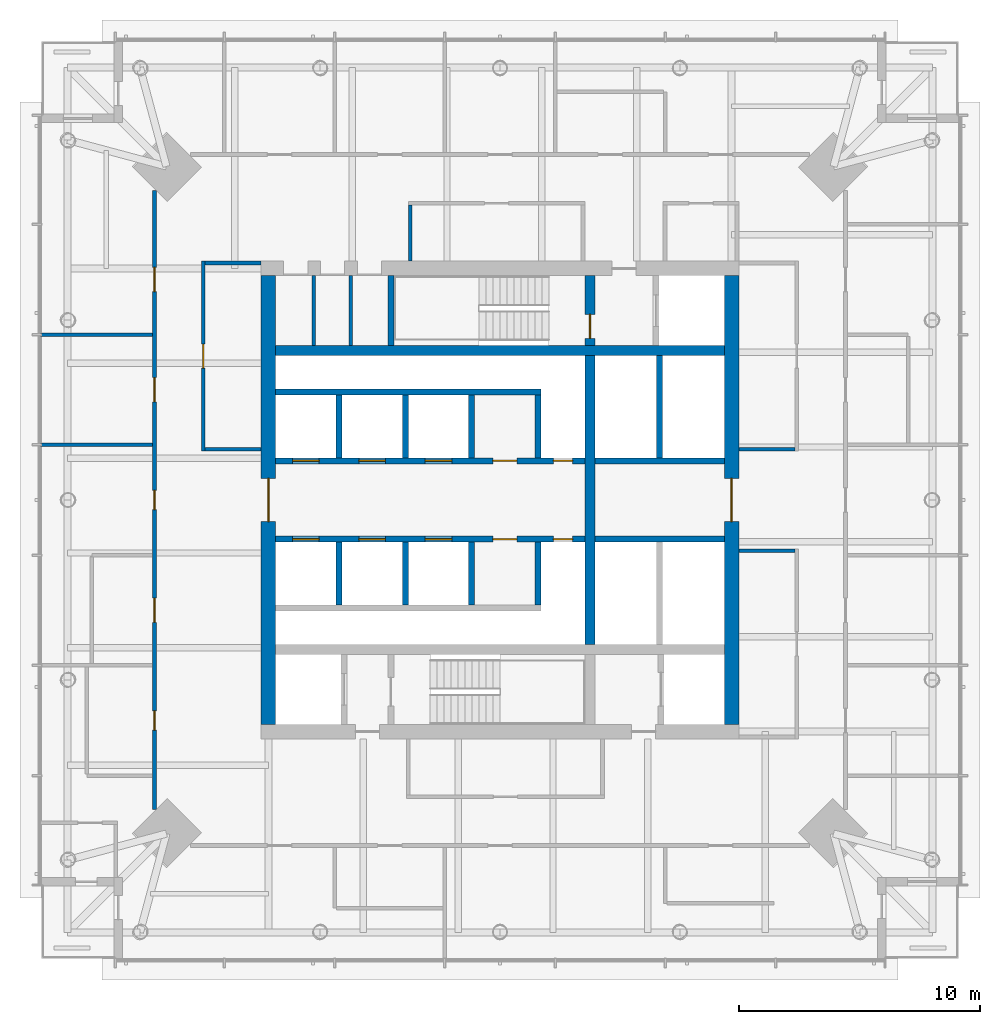
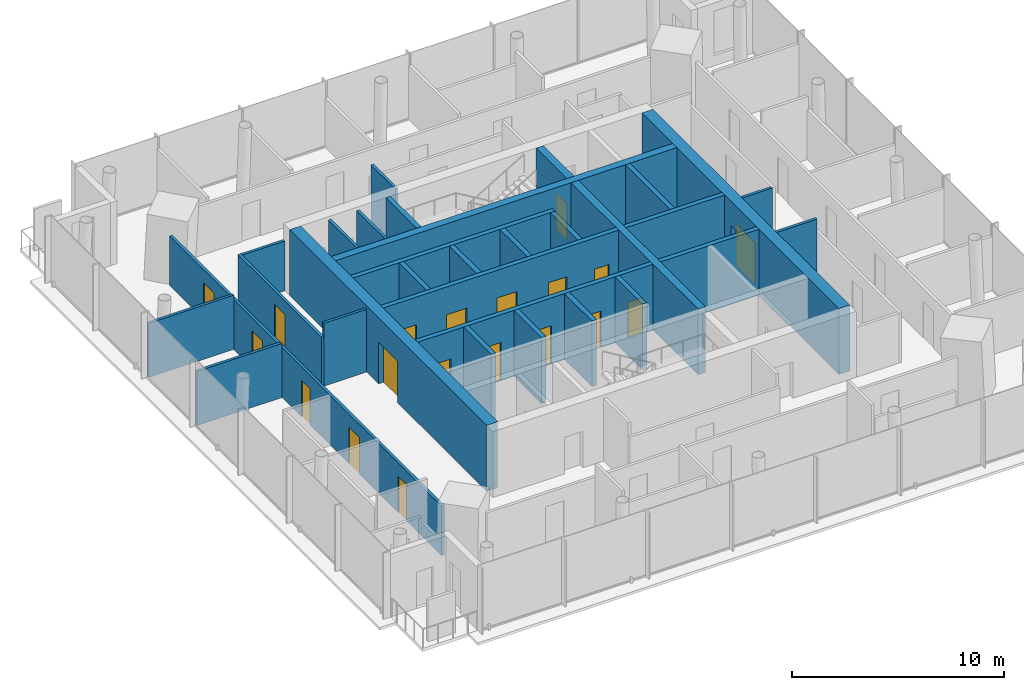
# One storey, part 5 of 11: 31 walls, 19 doors, 19 openings.
"""IFC4 building model written with IfcOpenShell, lengths in metres."""

from ifc_helpers import new_model, si_unit, direction, frame, frame_2d, origin, place, context, subcontext, project, spatial, rectangle, extrude, material, layer, layer_set, type_object, element, fill, save


model = new_model("IFC4")

# Units and contexts
model_context = context("Model", 3, precision=1e-05, world=origin(), true_north=direction((0.0, 1.0)))
body_context = subcontext(model_context, "Body", "Model", "MODEL_VIEW")
ifc_project = project(units=[si_unit("LENGTHUNIT", "METRE"), si_unit("AREAUNIT", "SQUARE_METRE"), si_unit("VOLUMEUNIT", "CUBIC_METRE"), si_unit("PLANEANGLEUNIT", "RADIAN"), si_unit("MASSUNIT", "GRAM", prefix="KILO")], contexts=[model_context])

# Site, building, storey
site_placement = place(None, origin())
site = spatial("IfcSite", under=ifc_project, at=site_placement, CompositionType="ELEMENT")
building_placement = place(site_placement, origin())
building = spatial("IfcBuilding", under=site, at=building_placement, Name="Ostroluk Exchange", CompositionType="ELEMENT")
storey_placement = place(building_placement, frame((0.0, 0.0, 211.0)))
storey = spatial("IfcBuildingStorey", under=building, at=storey_placement, Name="L54", CompositionType="ELEMENT", Elevation=211.0)

# Walls
ifc_material_1 = material(Name="Concrete blockwork", Category="masonry")
ifc_layer_1 = layer(ifc_material_1, 0.14990234375)
ifc_layer_set_1 = layer_set([ifc_layer_1], Name="Blockwork plant room wall 150")
wall_type_1 = type_object("IfcWallType", Name="Blockwork plant room wall 150", PredefinedType="SOLIDWALL", material=ifc_layer_set_1)
for number, where, z_axis, x_axis, name in (
    (1, (37.281005859375, 52.39990234375, 0.0), (0.0, 0.0, 1.0), (0.0, 1.0, 0.0), "Core room wall"),
    (2, (38.8154296875, 52.39990234375, 0.0), (0.0, 0.0, 1.0), (0.0, 1.0, 0.0), "Core room wall"),
):
    element("IfcWall", number, at=place(storey_placement, frame(where, z_axis=z_axis, x_axis=x_axis)), inside=storey, type_object=wall_type_1, Name=name, PredefinedType="SOLIDWALL", context=body_context, shape_type="SweptSolid", body=[
        extrude(rectangle(XDim=2.900146484375, YDim=0.14990234375, at=frame_2d((1.4501953125, 0.0))), origin(), (0.0, 0.0, 1.0), 3.6201171875),
    ])
ifc_material_2 = material(Name="Concrete C50/60", Category="concrete")
ifc_layer_2 = layer(ifc_material_2, 0.39990234375)
ifc_layer_set_2 = layer_set([ifc_layer_2], Name="Core cross wall 400 C50/60")
wall_type_2 = type_object("IfcWallType", Name="Core cross wall 400 C50/60", PredefinedType="SHEAR", material=ifc_layer_set_2)
wall_1_placement = place(storey_placement, frame((35.699951171875, 52.199951171875, 0.0), z_axis=(0.0, 0.0, 1.0), x_axis=(1.0, 0.0, 0.0)))
element("IfcWall", 3, at=wall_1_placement, inside=storey, type_object=wall_type_2, Name="T1 core wall XN", PredefinedType="SHEAR", context=body_context, shape_type="SweptSolid", body=[
    extrude(rectangle(XDim=18.60009765625, YDim=0.39990234375, at=frame_2d((9.300048828125, 0.0))), origin(), (0.0, 0.0, 1.0), 3.800048828125),
])
wall_2_placement = place(storey_placement, frame((48.72998046875, 40.0, 0.0), z_axis=(0.0, 0.0, 1.0), x_axis=(0.0, 1.0, 0.0)))
element("IfcWall", 4, at=wall_2_placement, inside=storey, type_object=wall_type_2, Name="T1 core wall YE2", PredefinedType="SHEAR", context=body_context, shape_type="SweptSolid", body=[
    extrude(rectangle(XDim=12.0, YDim=0.39990234375, at=frame_2d((6.0, 0.0))), origin(), (0.0, 0.0, 1.0), 3.800048828125),
])

# Wall, opening, door
wall_3_placement = place(storey_placement, frame((48.72998046875, 52.39990234375, 0.0), z_axis=(0.0, 0.0, 1.0), x_axis=(0.0, 1.0, 0.0)))
wall_3 = element("IfcWall", 5, at=wall_3_placement, inside=storey, type_object=wall_type_2, Name="T1 core wall YE3", PredefinedType="SHEAR", context=body_context, shape_type="SweptSolid", body=[
    extrude(rectangle(XDim=2.900146484375, YDim=0.39990234375, at=frame_2d((1.4501953125, 0.0))), origin(), (0.0, 0.0, 1.0), 3.800048828125),
])
opening_1_placement = place(wall_3_placement, frame((0.300048828125, 0.0, 0.0)))
opening_1 = element("IfcOpeningElement", 6, at=opening_1_placement, cuts=wall_3, Name="Opening FD60", PredefinedType="OPENING", context=body_context, shape_type="SweptSolid", body=[
    extrude(rectangle(XDim=1.0, YDim=2.10009765625, at=frame_2d((0.5, 1.050048828125))), frame((0.0, 0.2099609375, 0.0), z_axis=(0.0, -1.0, 0.0), x_axis=(1.0, 0.0, 0.0)), (0.0, 0.0, 1.0), 0.419921875),
])
ifc_material_3 = material(Name="Steel", Category="steel")
door_type_1 = type_object("IfcDoorType", Name="Fire door EI 60 1000 x 2100", OperationType="SINGLE_SWING_LEFT", PredefinedType="DOOR", material=ifc_material_3)
door_1_placement = place(opening_1_placement, origin())
door_1 = element("IfcDoor", 7, at=door_1_placement, inside=storey, type_object=door_type_1, Name="Stair T1-S2 door", OperationType="SINGLE_SWING_LEFT", OverallHeight=2.10009765625, OverallWidth=1.0, PredefinedType="DOOR", context=body_context, shape_type="SweptSolid", body=[
    extrude(rectangle(XDim=1.0, YDim=2.10009765625, at=frame_2d((0.5, 1.050048828125))), frame((0.0, 0.02490234375, 0.0), z_axis=(0.0, -1.0, 0.0), x_axis=(1.0, 0.0, 0.0)), (0.0, 0.0, 1.0), 0.050048828125),
])
fill(opening_1, door_1)

# Walls
ifc_material_4 = material(Name="Concrete C40/50", Category="concrete")
ifc_layer_3 = layer(ifc_material_4, 0.25)
ifc_layer_set_3 = layer_set([ifc_layer_3], Name="Core shaft wall 250")
wall_type_3 = type_object("IfcWallType", Name="Core shaft wall 250", PredefinedType="SHEAR", material=ifc_layer_set_3)
wall_4_placement = place(storey_placement, frame((40.47509765625, 52.39990234375, 0.0), z_axis=(0.0, 0.0, 1.0), x_axis=(0.0, 1.0, 0.0)))
element("IfcWall", 8, at=wall_4_placement, inside=storey, type_object=wall_type_3, Name="Stair shaft wall", PredefinedType="SHEAR", context=body_context, shape_type="SweptSolid", body=[
    extrude(rectangle(XDim=2.900146484375, YDim=0.25, at=frame_2d((1.4501953125, 0.0))), origin(), (0.0, 0.0, 1.0), 3.800048828125),
])
for number, where, z_axis, x_axis, name in (
    (9, (38.324951171875, 47.75, 0.0), (0.0, 0.0, 1.0), (0.0, 1.0, 0.0), "Lift shaft wall"),
    (10, (41.074951171875, 47.75, 0.0), (0.0, 0.0, 1.0), (0.0, 1.0, 0.0), "Lift shaft wall"),
    (11, (43.824951171875, 47.75, 0.0), (0.0, 0.0, 1.0), (0.0, 1.0, 0.0), "Lift shaft wall"),
    (12, (46.574951171875, 47.75, 0.0), (0.0, 0.0, 1.0), (0.0, 1.0, 0.0), "Lift shaft wall"),
):
    element("IfcWall", number, at=place(storey_placement, frame(where, z_axis=z_axis, x_axis=x_axis)), inside=storey, type_object=wall_type_3, Name=name, PredefinedType="SHEAR", context=body_context, shape_type="SweptSolid", body=[
        extrude(rectangle(XDim=2.60009765625, YDim=0.25, at=frame_2d((1.300048828125, 0.0))), origin(), (0.0, 0.0, 1.0), 3.800048828125),
    ])
wall_5_placement = place(storey_placement, frame((35.699951171875, 50.47509765625, 0.0), z_axis=(0.0, 0.0, 1.0), x_axis=(1.0, 0.0, 0.0)))
element("IfcWall", 13, at=wall_5_placement, inside=storey, type_object=wall_type_3, Name="Lift shaft wall", PredefinedType="SHEAR", context=body_context, shape_type="SweptSolid", body=[
    extrude(rectangle(XDim=11.0, YDim=0.25, at=frame_2d((5.5, 0.0))), origin(), (0.0, 0.0, 1.0), 3.800048828125),
])

# Wall, openings, doors
wall_6_placement = place(storey_placement, frame((35.699951171875, 47.625, 0.0), z_axis=(0.0, 0.0, 1.0), x_axis=(1.0, 0.0, 0.0)))
wall_6 = element("IfcWall", 14, at=wall_6_placement, inside=storey, type_object=wall_type_3, Name="Lift shaft front wall", PredefinedType="SHEAR", context=body_context, shape_type="SweptSolid", body=[
    extrude(rectangle(XDim=12.830078125, YDim=0.25, at=frame_2d((6.4150390625, 0.0))), origin(), (0.0, 0.0, 1.0), 3.800048828125),
])
opening_2_placement = place(wall_6_placement, frame((0.699951171875, 0.0, 0.0)))
opening_2 = element("IfcOpeningElement", 15, at=opening_2_placement, cuts=wall_6, Name="Opening LD", PredefinedType="OPENING", context=body_context, shape_type="SweptSolid", body=[
    extrude(rectangle(XDim=1.10009765625, YDim=2.199951171875, at=frame_2d((0.550048828125, 1.10009765625))), frame((0.0, 0.135009765625, 0.0), z_axis=(0.0, -1.0, 0.0), x_axis=(1.0, 0.0, 0.0)), (0.0, 0.0, 1.0), 0.27001953125),
])
opening_3_placement = place(wall_6_placement, frame((3.449951171875, 0.0, 0.0)))
opening_3 = element("IfcOpeningElement", 16, at=opening_3_placement, cuts=wall_6, Name="Opening LD", PredefinedType="OPENING", context=body_context, shape_type="SweptSolid", body=[
    extrude(rectangle(XDim=1.10009765625, YDim=2.199951171875, at=frame_2d((0.550048828125, 1.10009765625))), frame((0.0, 0.135009765625, 0.0), z_axis=(0.0, -1.0, 0.0), x_axis=(1.0, 0.0, 0.0)), (0.0, 0.0, 1.0), 0.27001953125),
])
opening_4_placement = place(wall_6_placement, frame((6.199951171875, 0.0, 0.0)))
opening_4 = element("IfcOpeningElement", 17, at=opening_4_placement, cuts=wall_6, Name="Opening LD", PredefinedType="OPENING", context=body_context, shape_type="SweptSolid", body=[
    extrude(rectangle(XDim=1.10009765625, YDim=2.199951171875, at=frame_2d((0.550048828125, 1.10009765625))), frame((0.0, 0.135009765625, 0.0), z_axis=(0.0, -1.0, 0.0), x_axis=(1.0, 0.0, 0.0)), (0.0, 0.0, 1.0), 0.27001953125),
])
opening_5_placement = place(wall_6_placement, frame((9.0, 0.0, 0.0)))
opening_5 = element("IfcOpeningElement", 18, at=opening_5_placement, cuts=wall_6, Name="Opening FD60", PredefinedType="OPENING", context=body_context, shape_type="SweptSolid", body=[
    extrude(rectangle(XDim=1.0, YDim=2.10009765625, at=frame_2d((0.5, 1.050048828125))), frame((0.0, 0.135009765625, 0.0), z_axis=(0.0, -1.0, 0.0), x_axis=(1.0, 0.0, 0.0)), (0.0, 0.0, 1.0), 0.27001953125),
])
opening_6_placement = place(wall_6_placement, frame((11.514892578125, 0.0, 0.0)))
opening_6 = element("IfcOpeningElement", 19, at=opening_6_placement, cuts=wall_6, Name="Opening RD60", PredefinedType="OPENING", context=body_context, shape_type="SweptSolid", body=[
    extrude(rectangle(XDim=0.800048828125, YDim=2.0, at=frame_2d((0.39990234375, 1.0))), frame((0.0, 0.135009765625, 0.0), z_axis=(0.0, -1.0, 0.0), x_axis=(1.0, 0.0, 0.0)), (0.0, 0.0, 1.0), 0.27001953125),
])
door_2_placement = place(opening_5_placement, origin())
door_2 = element("IfcDoor", 20, at=door_2_placement, inside=storey, type_object=door_type_1, Name="Core room door", OperationType="SINGLE_SWING_RIGHT", OverallHeight=2.10009765625, OverallWidth=1.0, PredefinedType="DOOR", context=body_context, shape_type="SweptSolid", body=[
    extrude(rectangle(XDim=1.0, YDim=2.10009765625, at=frame_2d((0.5, 1.050048828125))), frame((0.0, 0.02490234375, 0.0), z_axis=(0.0, -1.0, 0.0), x_axis=(1.0, 0.0, 0.0)), (0.0, 0.0, 1.0), 0.050048828125),
])
fill(opening_5, door_2)
ifc_material_5 = material(Name="Stainless steel", Category="steel")
door_type_2 = type_object("IfcDoorType", Name="Lift landing door E 60 1100 x 2200", OperationType="DOUBLE_DOOR_SLIDING", PredefinedType="DOOR", material=ifc_material_5)
door_3_placement = place(opening_2_placement, origin())
door_3 = element("IfcDoor", 21, at=door_3_placement, inside=storey, type_object=door_type_2, Name="Lift PL-H1 landing door", OperationType="DOUBLE_DOOR_SLIDING", OverallHeight=2.199951171875, OverallWidth=1.10009765625, PredefinedType="DOOR", context=body_context, shape_type="SweptSolid", body=[
    extrude(rectangle(XDim=1.10009765625, YDim=2.199951171875, at=frame_2d((0.550048828125, 1.10009765625))), frame((0.0, 0.02490234375, 0.0), z_axis=(0.0, -1.0, 0.0), x_axis=(1.0, 0.0, 0.0)), (0.0, 0.0, 1.0), 0.050048828125),
])
fill(opening_2, door_3)
door_4_placement = place(opening_3_placement, origin())
door_4 = element("IfcDoor", 22, at=door_4_placement, inside=storey, type_object=door_type_2, Name="Lift PL-H2 landing door", OperationType="DOUBLE_DOOR_SLIDING", OverallHeight=2.199951171875, OverallWidth=1.10009765625, PredefinedType="DOOR", context=body_context, shape_type="SweptSolid", body=[
    extrude(rectangle(XDim=1.10009765625, YDim=2.199951171875, at=frame_2d((0.550048828125, 1.10009765625))), frame((0.0, 0.02490234375, 0.0), z_axis=(0.0, -1.0, 0.0), x_axis=(1.0, 0.0, 0.0)), (0.0, 0.0, 1.0), 0.050048828125),
])
fill(opening_3, door_4)
door_5_placement = place(opening_4_placement, origin())
door_5 = element("IfcDoor", 23, at=door_5_placement, inside=storey, type_object=door_type_2, Name="Lift PL-H3 landing door", OperationType="DOUBLE_DOOR_SLIDING", OverallHeight=2.199951171875, OverallWidth=1.10009765625, PredefinedType="DOOR", context=body_context, shape_type="SweptSolid", body=[
    extrude(rectangle(XDim=1.10009765625, YDim=2.199951171875, at=frame_2d((0.550048828125, 1.10009765625))), frame((0.0, 0.02490234375, 0.0), z_axis=(0.0, -1.0, 0.0), x_axis=(1.0, 0.0, 0.0)), (0.0, 0.0, 1.0), 0.050048828125),
])
fill(opening_4, door_5)
ifc_material_6 = material(Name="Steel", Category="steel")
door_type_3 = type_object("IfcDoorType", Name="Riser access door EI 60 800 x 2000", OperationType="SINGLE_SWING_LEFT", PredefinedType="DOOR", material=ifc_material_6)
door_6_placement = place(opening_6_placement, origin())
door_6 = element("IfcDoor", 24, at=door_6_placement, inside=storey, type_object=door_type_3, Name="Riser access door", OperationType="SINGLE_SWING_RIGHT", OverallHeight=2.0, OverallWidth=0.800048828125, PredefinedType="DOOR", context=body_context, shape_type="SweptSolid", body=[
    extrude(rectangle(XDim=0.800048828125, YDim=2.0, at=frame_2d((0.39990234375, 1.0))), frame((0.0, 0.02490234375, 0.0), z_axis=(0.0, -1.0, 0.0), x_axis=(1.0, 0.0, 0.0)), (0.0, 0.0, 1.0), 0.050048828125),
])
fill(opening_6, door_6)

# Walls
for number, where, z_axis, x_axis, name in (
    (25, (38.324951171875, 44.25, 0.0), (0.0, 0.0, 1.0), (0.0, -1.0, 0.0), "Lift shaft wall"),
    (26, (41.074951171875, 44.25, 0.0), (0.0, 0.0, 1.0), (0.0, -1.0, 0.0), "Lift shaft wall"),
    (27, (43.824951171875, 44.25, 0.0), (0.0, 0.0, 1.0), (0.0, -1.0, 0.0), "Lift shaft wall"),
    (28, (46.574951171875, 44.25, 0.0), (0.0, 0.0, 1.0), (0.0, -1.0, 0.0), "Lift shaft wall"),
):
    element("IfcWall", number, at=place(storey_placement, frame(where, z_axis=z_axis, x_axis=x_axis)), inside=storey, type_object=wall_type_3, Name=name, PredefinedType="SHEAR", context=body_context, shape_type="SweptSolid", body=[
        extrude(rectangle(XDim=2.60009765625, YDim=0.25, at=frame_2d((1.300048828125, 0.0))), origin(), (0.0, 0.0, 1.0), 3.800048828125),
    ])

# Wall, openings, doors
wall_7_placement = place(storey_placement, frame((35.699951171875, 44.375, 0.0), z_axis=(0.0, 0.0, 1.0), x_axis=(1.0, 0.0, 0.0)))
wall_7 = element("IfcWall", 29, at=wall_7_placement, inside=storey, type_object=wall_type_3, Name="Lift shaft front wall", PredefinedType="SHEAR", context=body_context, shape_type="SweptSolid", body=[
    extrude(rectangle(XDim=12.830078125, YDim=0.25, at=frame_2d((6.4150390625, 0.0))), origin(), (0.0, 0.0, 1.0), 3.800048828125),
])
opening_7_placement = place(wall_7_placement, frame((0.699951171875, 0.0, 0.0)))
opening_7 = element("IfcOpeningElement", 30, at=opening_7_placement, cuts=wall_7, Name="Opening LD", PredefinedType="OPENING", context=body_context, shape_type="SweptSolid", body=[
    extrude(rectangle(XDim=1.10009765625, YDim=2.199951171875, at=frame_2d((0.550048828125, 1.10009765625))), frame((0.0, 0.135009765625, 0.0), z_axis=(0.0, -1.0, 0.0), x_axis=(1.0, 0.0, 0.0)), (0.0, 0.0, 1.0), 0.27001953125),
])
opening_8_placement = place(wall_7_placement, frame((3.449951171875, 0.0, 0.0)))
opening_8 = element("IfcOpeningElement", 31, at=opening_8_placement, cuts=wall_7, Name="Opening LD", PredefinedType="OPENING", context=body_context, shape_type="SweptSolid", body=[
    extrude(rectangle(XDim=1.10009765625, YDim=2.199951171875, at=frame_2d((0.550048828125, 1.10009765625))), frame((0.0, 0.135009765625, 0.0), z_axis=(0.0, -1.0, 0.0), x_axis=(1.0, 0.0, 0.0)), (0.0, 0.0, 1.0), 0.27001953125),
])
opening_9_placement = place(wall_7_placement, frame((6.199951171875, 0.0, 0.0)))
opening_9 = element("IfcOpeningElement", 32, at=opening_9_placement, cuts=wall_7, Name="Opening LD", PredefinedType="OPENING", context=body_context, shape_type="SweptSolid", body=[
    extrude(rectangle(XDim=1.10009765625, YDim=2.199951171875, at=frame_2d((0.550048828125, 1.10009765625))), frame((0.0, 0.135009765625, 0.0), z_axis=(0.0, -1.0, 0.0), x_axis=(1.0, 0.0, 0.0)), (0.0, 0.0, 1.0), 0.27001953125),
])
opening_10_placement = place(wall_7_placement, frame((9.0, 0.0, 0.0)))
opening_10 = element("IfcOpeningElement", 33, at=opening_10_placement, cuts=wall_7, Name="Opening FD60", PredefinedType="OPENING", context=body_context, shape_type="SweptSolid", body=[
    extrude(rectangle(XDim=1.0, YDim=2.10009765625, at=frame_2d((0.5, 1.050048828125))), frame((0.0, 0.135009765625, 0.0), z_axis=(0.0, -1.0, 0.0), x_axis=(1.0, 0.0, 0.0)), (0.0, 0.0, 1.0), 0.27001953125),
])
opening_11_placement = place(wall_7_placement, frame((11.514892578125, 0.0, 0.0)))
opening_11 = element("IfcOpeningElement", 34, at=opening_11_placement, cuts=wall_7, Name="Opening RD60", PredefinedType="OPENING", context=body_context, shape_type="SweptSolid", body=[
    extrude(rectangle(XDim=0.800048828125, YDim=2.0, at=frame_2d((0.39990234375, 1.0))), frame((0.0, 0.135009765625, 0.0), z_axis=(0.0, -1.0, 0.0), x_axis=(1.0, 0.0, 0.0)), (0.0, 0.0, 1.0), 0.27001953125),
])
door_7_placement = place(opening_10_placement, origin())
door_7 = element("IfcDoor", 35, at=door_7_placement, inside=storey, type_object=door_type_1, Name="Core room door", OperationType="SINGLE_SWING_RIGHT", OverallHeight=2.10009765625, OverallWidth=1.0, PredefinedType="DOOR", context=body_context, shape_type="SweptSolid", body=[
    extrude(rectangle(XDim=1.0, YDim=2.10009765625, at=frame_2d((0.5, 1.050048828125))), frame((0.0, 0.02490234375, 0.0), z_axis=(0.0, -1.0, 0.0), x_axis=(1.0, 0.0, 0.0)), (0.0, 0.0, 1.0), 0.050048828125),
])
fill(opening_10, door_7)
door_8_placement = place(opening_7_placement, origin())
door_8 = element("IfcDoor", 36, at=door_8_placement, inside=storey, type_object=door_type_2, Name="Lift PL-H4 landing door", OperationType="DOUBLE_DOOR_SLIDING", OverallHeight=2.199951171875, OverallWidth=1.10009765625, PredefinedType="DOOR", context=body_context, shape_type="SweptSolid", body=[
    extrude(rectangle(XDim=1.10009765625, YDim=2.199951171875, at=frame_2d((0.550048828125, 1.10009765625))), frame((0.0, 0.02490234375, 0.0), z_axis=(0.0, -1.0, 0.0), x_axis=(1.0, 0.0, 0.0)), (0.0, 0.0, 1.0), 0.050048828125),
])
fill(opening_7, door_8)
door_9_placement = place(opening_8_placement, origin())
door_9 = element("IfcDoor", 37, at=door_9_placement, inside=storey, type_object=door_type_2, Name="Lift PL-H5 landing door", OperationType="DOUBLE_DOOR_SLIDING", OverallHeight=2.199951171875, OverallWidth=1.10009765625, PredefinedType="DOOR", context=body_context, shape_type="SweptSolid", body=[
    extrude(rectangle(XDim=1.10009765625, YDim=2.199951171875, at=frame_2d((0.550048828125, 1.10009765625))), frame((0.0, 0.02490234375, 0.0), z_axis=(0.0, -1.0, 0.0), x_axis=(1.0, 0.0, 0.0)), (0.0, 0.0, 1.0), 0.050048828125),
])
fill(opening_8, door_9)
door_10_placement = place(opening_9_placement, origin())
door_10 = element("IfcDoor", 38, at=door_10_placement, inside=storey, type_object=door_type_2, Name="Lift PL-H6 landing door", OperationType="DOUBLE_DOOR_SLIDING", OverallHeight=2.199951171875, OverallWidth=1.10009765625, PredefinedType="DOOR", context=body_context, shape_type="SweptSolid", body=[
    extrude(rectangle(XDim=1.10009765625, YDim=2.199951171875, at=frame_2d((0.550048828125, 1.10009765625))), frame((0.0, 0.02490234375, 0.0), z_axis=(0.0, -1.0, 0.0), x_axis=(1.0, 0.0, 0.0)), (0.0, 0.0, 1.0), 0.050048828125),
])
fill(opening_9, door_10)
door_11_placement = place(opening_11_placement, origin())
door_11 = element("IfcDoor", 39, at=door_11_placement, inside=storey, type_object=door_type_3, Name="Riser access door", OperationType="SINGLE_SWING_RIGHT", OverallHeight=2.0, OverallWidth=0.800048828125, PredefinedType="DOOR", context=body_context, shape_type="SweptSolid", body=[
    extrude(rectangle(XDim=0.800048828125, YDim=2.0, at=frame_2d((0.39990234375, 1.0))), frame((0.0, 0.02490234375, 0.0), z_axis=(0.0, -1.0, 0.0), x_axis=(1.0, 0.0, 0.0)), (0.0, 0.0, 1.0), 0.050048828125),
])
fill(opening_11, door_11)

# Walls
wall_8_placement = place(storey_placement, frame((51.614990234375, 47.75, 0.0), z_axis=(0.0, 0.0, 1.0), x_axis=(0.0, 1.0, 0.0)))
element("IfcWall", 40, at=wall_8_placement, inside=storey, type_object=wall_type_3, Name="Lift shaft wall", PredefinedType="SHEAR", context=body_context, shape_type="SweptSolid", body=[
    extrude(rectangle(XDim=4.25, YDim=0.25, at=frame_2d((2.125, 0.0))), origin(), (0.0, 0.0, 1.0), 3.800048828125),
])
for number, where, z_axis, x_axis, name in (
    (41, (48.929931640625, 47.625, 0.0), (0.0, 0.0, 1.0), (1.0, 0.0, 0.0), "Lift shaft front wall"),
    (42, (48.929931640625, 44.375, 0.0), (0.0, 0.0, 1.0), (1.0, 0.0, 0.0), "Lift shaft front wall"),
):
    element("IfcWall", number, at=place(storey_placement, frame(where, z_axis=z_axis, x_axis=x_axis)), inside=storey, type_object=wall_type_3, Name=name, PredefinedType="SHEAR", context=body_context, shape_type="SweptSolid", body=[
        extrude(rectangle(XDim=5.3701171875, YDim=0.25, at=frame_2d((2.68505859375, 0.0))), origin(), (0.0, 0.0, 1.0), 3.800048828125),
    ])

# Wall, opening, door
ifc_material_7 = material(Name="Concrete C50/60", Category="concrete")
ifc_layer_4 = layer(ifc_material_7, 0.60009765625)
ifc_layer_set_4 = layer_set([ifc_layer_4], Name="Core wall 600 C50/60")
wall_type_4 = type_object("IfcWallType", Name="Core wall 600 C50/60", PredefinedType="SHEAR", material=ifc_layer_set_4)
wall_9_placement = place(storey_placement, frame((35.39990234375, 36.699951171875, 0.0), z_axis=(0.0, 0.0, 1.0), x_axis=(0.0, 1.0, 0.0)))
wall_9 = element("IfcWall", 43, at=wall_9_placement, inside=storey, type_object=wall_type_4, Name="T1 core wall W", PredefinedType="SHEAR", context=body_context, shape_type="SweptSolid", body=[
    extrude(rectangle(XDim=18.60009765625, YDim=0.60009765625, at=frame_2d((9.300048828125, 0.0))), origin(), (0.0, 0.0, 1.0), 3.800048828125),
])
opening_12_placement = place(wall_9_placement, frame((8.39990234375, 0.0, 0.0)))
opening_12 = element("IfcOpeningElement", 44, at=opening_12_placement, cuts=wall_9, Name="Opening FD30D", PredefinedType="OPENING", context=body_context, shape_type="SweptSolid", body=[
    extrude(rectangle(XDim=1.800048828125, YDim=2.39990234375, at=frame_2d((0.89990234375, 1.199951171875))), frame((0.0, 0.31005859375, 0.0), z_axis=(0.0, -1.0, 0.0), x_axis=(1.0, 0.0, 0.0)), (0.0, 0.0, 1.0), 0.6201171875),
])
ifc_material_8 = material(Name="Timber", Category="wood")
door_type_4 = type_object("IfcDoorType", Name="Lobby double door EI 30 1800 x 2400", OperationType="DOUBLE_DOOR_SINGLE_SWING", PredefinedType="DOOR", material=ifc_material_8)
door_12_placement = place(opening_12_placement, origin())
door_12 = element("IfcDoor", 45, at=door_12_placement, inside=storey, type_object=door_type_4, Name="Lift lobby doors", OperationType="DOUBLE_DOOR_SINGLE_SWING", OverallHeight=2.39990234375, OverallWidth=1.800048828125, PredefinedType="DOOR", context=body_context, shape_type="SweptSolid", body=[
    extrude(rectangle(XDim=1.800048828125, YDim=2.39990234375, at=frame_2d((0.89990234375, 1.199951171875))), frame((0.0, 0.02490234375, 0.0), z_axis=(0.0, -1.0, 0.0), x_axis=(1.0, 0.0, 0.0)), (0.0, 0.0, 1.0), 0.050048828125),
])
fill(opening_12, door_12)

wall_10_placement = place(storey_placement, frame((54.60009765625, 36.699951171875, 0.0), z_axis=(0.0, 0.0, 1.0), x_axis=(0.0, 1.0, 0.0)))
wall_10 = element("IfcWall", 46, at=wall_10_placement, inside=storey, type_object=wall_type_4, Name="T1 core wall E", PredefinedType="SHEAR", context=body_context, shape_type="SweptSolid", body=[
    extrude(rectangle(XDim=18.60009765625, YDim=0.60009765625, at=frame_2d((9.300048828125, 0.0))), origin(), (0.0, 0.0, 1.0), 3.800048828125),
])
opening_13_placement = place(wall_10_placement, frame((8.39990234375, 0.0, 0.0)))
opening_13 = element("IfcOpeningElement", 47, at=opening_13_placement, cuts=wall_10, Name="Opening FD30D", PredefinedType="OPENING", context=body_context, shape_type="SweptSolid", body=[
    extrude(rectangle(XDim=1.800048828125, YDim=2.39990234375, at=frame_2d((0.89990234375, 1.199951171875))), frame((0.0, 0.31005859375, 0.0), z_axis=(0.0, -1.0, 0.0), x_axis=(1.0, 0.0, 0.0)), (0.0, 0.0, 1.0), 0.6201171875),
])
door_13_placement = place(opening_13_placement, origin())
door_13 = element("IfcDoor", 48, at=door_13_placement, inside=storey, type_object=door_type_4, Name="Lift lobby doors", OperationType="DOUBLE_DOOR_SINGLE_SWING", OverallHeight=2.39990234375, OverallWidth=1.800048828125, PredefinedType="DOOR", context=body_context, shape_type="SweptSolid", body=[
    extrude(rectangle(XDim=1.800048828125, YDim=2.39990234375, at=frame_2d((0.89990234375, 1.199951171875))), frame((0.0, 0.02490234375, 0.0), z_axis=(0.0, -1.0, 0.0), x_axis=(1.0, 0.0, 0.0)), (0.0, 0.0, 1.0), 0.050048828125),
])
fill(opening_13, door_13)

# Walls
ifc_material_9 = material(Name="Gypsum plasterboard partition", Category="gypsum")
ifc_layer_5 = layer(ifc_material_9, 0.14990234375)
ifc_layer_set_5 = layer_set([ifc_layer_5], Name="Plasterboard partition 150")
wall_type_5 = type_object("IfcWallType", Name="Plasterboard partition 150", PredefinedType="PARTITIONING", material=ifc_layer_set_5)
wall_11_placement = place(storey_placement, frame((54.89990234375, 43.89990234375, 0.0), z_axis=(0.0, 0.0, 1.0), x_axis=(1.0, 0.0, 0.0)))
element("IfcWall", 49, at=wall_11_placement, inside=storey, type_object=wall_type_5, Name="Partition", PredefinedType="PARTITIONING", context=body_context, shape_type="SweptSolid", body=[
    extrude(rectangle(XDim=2.3251953125, YDim=0.14990234375, at=frame_2d((1.16259765625, 0.0))), origin(), (0.0, 0.0, 1.0), 3.6201171875),
])
wall_12_placement = place(storey_placement, frame((54.89990234375, 48.10009765625, 0.0), z_axis=(0.0, 0.0, 1.0), x_axis=(1.0, 0.0, 0.0)))
element("IfcWall", 50, at=wall_12_placement, inside=storey, type_object=wall_type_5, Name="Partition", PredefinedType="PARTITIONING", context=body_context, shape_type="SweptSolid", body=[
    extrude(rectangle(XDim=2.3251953125, YDim=0.14990234375, at=frame_2d((1.16259765625, 0.0))), origin(), (0.0, 0.0, 1.0), 2.866943359375),
])
wall_13_placement = place(storey_placement, frame((41.28271484375, 55.89990234375, 0.0), z_axis=(0.0, 0.0, 1.0), x_axis=(0.0, 1.0, 0.0)))
element("IfcWall", 51, at=wall_13_placement, inside=storey, type_object=wall_type_5, Name="Partition", PredefinedType="PARTITIONING", context=body_context, shape_type="SweptSolid", body=[
    extrude(rectangle(XDim=2.3251953125, YDim=0.14990234375, at=frame_2d((1.16259765625, 0.0))), origin(), (0.0, 0.0, 1.0), 3.6201171875),
])

# Wall, opening, door
wall_14_placement = place(storey_placement, frame((32.699951171875, 55.89990234375, 0.0), z_axis=(0.0, 0.0, 1.0), x_axis=(0.0, -1.0, 0.0)))
wall_14 = element("IfcWall", 52, at=wall_14_placement, inside=storey, type_object=wall_type_5, Name="Partition", PredefinedType="PARTITIONING", context=body_context, shape_type="SweptSolid", body=[
    extrude(rectangle(XDim=7.875, YDim=0.14990234375, at=frame_2d((3.9375, 0.0))), origin(), (0.0, 0.0, 1.0), 2.866943359375),
])
opening_14_placement = place(wall_14_placement, frame((3.4375, 0.0, 0.0)))
opening_14 = element("IfcOpeningElement", 53, at=opening_14_placement, cuts=wall_14, Name="Opening D-03", PredefinedType="OPENING", context=body_context, shape_type="SweptSolid", body=[
    extrude(rectangle(XDim=1.0, YDim=2.10009765625, at=frame_2d((0.5, 1.050048828125))), frame((0.0, 0.0849609375, 0.0), z_axis=(0.0, -1.0, 0.0), x_axis=(1.0, 0.0, 0.0)), (0.0, 0.0, 1.0), 0.169921875),
])
ifc_material_10 = material(Name="Timber", Category="wood")
door_type_5 = type_object("IfcDoorType", Name="Internal door 1000 x 2100", OperationType="SINGLE_SWING_LEFT", PredefinedType="DOOR", material=ifc_material_10)
door_14_placement = place(opening_14_placement, origin())
door_14 = element("IfcDoor", 54, at=door_14_placement, inside=storey, type_object=door_type_5, Name="Project room door", OperationType="SINGLE_SWING_LEFT", OverallHeight=2.10009765625, OverallWidth=1.0, PredefinedType="DOOR", context=body_context, shape_type="SweptSolid", body=[
    extrude(rectangle(XDim=1.0, YDim=2.10009765625, at=frame_2d((0.5, 1.050048828125))), frame((0.0, 0.02490234375, 0.0), z_axis=(0.0, -1.0, 0.0), x_axis=(1.0, 0.0, 0.0)), (0.0, 0.0, 1.0), 0.050048828125),
])
fill(opening_14, door_14)

# Walls
wall_15_placement = place(storey_placement, frame((35.10009765625, 55.824951171875, 0.0), z_axis=(0.0, 0.0, 1.0), x_axis=(-1.0, 0.0, 0.0)))
element("IfcWall", 55, at=wall_15_placement, inside=storey, type_object=wall_type_5, Name="Partition", PredefinedType="PARTITIONING", context=body_context, shape_type="SweptSolid", body=[
    extrude(rectangle(XDim=2.3251953125, YDim=0.14990234375, at=frame_2d((1.16259765625, 0.0))), origin(), (0.0, 0.0, 1.0), 2.866943359375),
])
wall_16_placement = place(storey_placement, frame((35.10009765625, 48.10009765625, 0.0), z_axis=(0.0, 0.0, 1.0), x_axis=(-1.0, 0.0, 0.0)))
element("IfcWall", 56, at=wall_16_placement, inside=storey, type_object=wall_type_5, Name="Partition", PredefinedType="PARTITIONING", context=body_context, shape_type="SweptSolid", body=[
    extrude(rectangle(XDim=2.3251953125, YDim=0.14990234375, at=frame_2d((1.16259765625, 0.0))), origin(), (0.0, 0.0, 1.0), 3.6201171875),
])

# Wall, openings, doors
wall_17_placement = place(storey_placement, frame((30.675048828125, 58.835693359375, 0.0), z_axis=(0.0, 0.0, 1.0), x_axis=(0.0, -1.0, 0.0)))
wall_17 = element("IfcWall", 57, at=wall_17_placement, inside=storey, type_object=wall_type_5, Name="Partition", PredefinedType="PARTITIONING", context=body_context, shape_type="SweptSolid", body=[
    extrude(rectangle(XDim=25.67138671875, YDim=0.14990234375, at=frame_2d((12.835693359375, 0.0))), origin(), (0.0, 0.0, 1.0), 2.866943359375),
])
opening_15_placement = place(wall_17_placement, frame((3.19287109375, 0.0, 0.0)))
opening_15 = element("IfcOpeningElement", 58, at=opening_15_placement, cuts=wall_17, Name="Opening D-03", PredefinedType="OPENING", context=body_context, shape_type="SweptSolid", body=[
    extrude(rectangle(XDim=1.0, YDim=2.10009765625, at=frame_2d((0.5, 1.050048828125))), frame((0.0, 0.0849609375, 0.0), z_axis=(0.0, -1.0, 0.0), x_axis=(1.0, 0.0, 0.0)), (0.0, 0.0, 1.0), 0.169921875),
])
opening_16_placement = place(wall_17_placement, frame((7.764404296875, 0.0, 0.0)))
opening_16 = element("IfcOpeningElement", 59, at=opening_16_placement, cuts=wall_17, Name="Opening D-03", PredefinedType="OPENING", context=body_context, shape_type="SweptSolid", body=[
    extrude(rectangle(XDim=1.0, YDim=2.10009765625, at=frame_2d((0.5, 1.050048828125))), frame((0.0, 0.0849609375, 0.0), z_axis=(0.0, -1.0, 0.0), x_axis=(1.0, 0.0, 0.0)), (0.0, 0.0, 1.0), 0.169921875),
])
opening_17_placement = place(wall_17_placement, frame((12.435791015625, 0.0, 0.0)))
opening_17 = element("IfcOpeningElement", 60, at=opening_17_placement, cuts=wall_17, Name="Opening D-06", PredefinedType="OPENING", context=body_context, shape_type="SweptSolid", body=[
    extrude(rectangle(XDim=0.800048828125, YDim=2.10009765625, at=frame_2d((0.39990234375, 1.050048828125))), frame((0.0, 0.0849609375, 0.0), z_axis=(0.0, -1.0, 0.0), x_axis=(1.0, 0.0, 0.0)), (0.0, 0.0, 1.0), 0.169921875),
])
opening_18_placement = place(wall_17_placement, frame((16.9072265625, 0.0, 0.0)))
opening_18 = element("IfcOpeningElement", 61, at=opening_18_placement, cuts=wall_17, Name="Opening D-03", PredefinedType="OPENING", context=body_context, shape_type="SweptSolid", body=[
    extrude(rectangle(XDim=1.0, YDim=2.10009765625, at=frame_2d((0.5, 1.050048828125))), frame((0.0, 0.0849609375, 0.0), z_axis=(0.0, -1.0, 0.0), x_axis=(1.0, 0.0, 0.0)), (0.0, 0.0, 1.0), 0.169921875),
])
opening_19_placement = place(wall_17_placement, frame((21.57861328125, 0.0, 0.0)))
opening_19 = element("IfcOpeningElement", 62, at=opening_19_placement, cuts=wall_17, Name="Opening D-06", PredefinedType="OPENING", context=body_context, shape_type="SweptSolid", body=[
    extrude(rectangle(XDim=0.800048828125, YDim=2.10009765625, at=frame_2d((0.39990234375, 1.050048828125))), frame((0.0, 0.0849609375, 0.0), z_axis=(0.0, -1.0, 0.0), x_axis=(1.0, 0.0, 0.0)), (0.0, 0.0, 1.0), 0.169921875),
])
door_15_placement = place(opening_15_placement, origin())
door_15 = element("IfcDoor", 63, at=door_15_placement, inside=storey, type_object=door_type_5, Name="Office suite door", OperationType="SINGLE_SWING_LEFT", OverallHeight=2.10009765625, OverallWidth=1.0, PredefinedType="DOOR", context=body_context, shape_type="SweptSolid", body=[
    extrude(rectangle(XDim=1.0, YDim=2.10009765625, at=frame_2d((0.5, 1.050048828125))), frame((0.0, 0.02490234375, 0.0), z_axis=(0.0, -1.0, 0.0), x_axis=(1.0, 0.0, 0.0)), (0.0, 0.0, 1.0), 0.050048828125),
])
fill(opening_15, door_15)
door_16_placement = place(opening_16_placement, origin())
door_16 = element("IfcDoor", 64, at=door_16_placement, inside=storey, type_object=door_type_5, Name="Office door", OperationType="SINGLE_SWING_LEFT", OverallHeight=2.10009765625, OverallWidth=1.0, PredefinedType="DOOR", context=body_context, shape_type="SweptSolid", body=[
    extrude(rectangle(XDim=1.0, YDim=2.10009765625, at=frame_2d((0.5, 1.050048828125))), frame((0.0, 0.02490234375, 0.0), z_axis=(0.0, -1.0, 0.0), x_axis=(1.0, 0.0, 0.0)), (0.0, 0.0, 1.0), 0.050048828125),
])
fill(opening_16, door_16)
door_17_placement = place(opening_18_placement, origin())
door_17 = element("IfcDoor", 65, at=door_17_placement, inside=storey, type_object=door_type_5, Name="Accessible WC door", OperationType="SINGLE_SWING_RIGHT", OverallHeight=2.10009765625, OverallWidth=1.0, PredefinedType="DOOR", context=body_context, shape_type="SweptSolid", body=[
    extrude(rectangle(XDim=1.0, YDim=2.10009765625, at=frame_2d((0.5, 1.050048828125))), frame((0.0, 0.02490234375, 0.0), z_axis=(0.0, -1.0, 0.0), x_axis=(1.0, 0.0, 0.0)), (0.0, 0.0, 1.0), 0.050048828125),
])
fill(opening_18, door_17)
ifc_material_11 = material(Name="Timber", Category="wood")
door_type_6 = type_object("IfcDoorType", Name="Toilet door 800 x 2100", OperationType="SINGLE_SWING_LEFT", PredefinedType="DOOR", material=ifc_material_11)
door_18_placement = place(opening_17_placement, origin())
door_18 = element("IfcDoor", 66, at=door_18_placement, inside=storey, type_object=door_type_6, Name="WC female door", OperationType="SINGLE_SWING_LEFT", OverallHeight=2.10009765625, OverallWidth=0.800048828125, PredefinedType="DOOR", context=body_context, shape_type="SweptSolid", body=[
    extrude(rectangle(XDim=0.800048828125, YDim=2.10009765625, at=frame_2d((0.39990234375, 1.050048828125))), frame((0.0, 0.02490234375, 0.0), z_axis=(0.0, -1.0, 0.0), x_axis=(1.0, 0.0, 0.0)), (0.0, 0.0, 1.0), 0.050048828125),
])
fill(opening_17, door_18)
door_19_placement = place(opening_19_placement, origin())
door_19 = element("IfcDoor", 67, at=door_19_placement, inside=storey, type_object=door_type_6, Name="WC male door", OperationType="SINGLE_SWING_RIGHT", OverallHeight=2.10009765625, OverallWidth=0.800048828125, PredefinedType="DOOR", context=body_context, shape_type="SweptSolid", body=[
    extrude(rectangle(XDim=0.800048828125, YDim=2.10009765625, at=frame_2d((0.39990234375, 1.050048828125))), frame((0.0, 0.02490234375, 0.0), z_axis=(0.0, -1.0, 0.0), x_axis=(1.0, 0.0, 0.0)), (0.0, 0.0, 1.0), 0.050048828125),
])
fill(opening_19, door_19)

# Walls
for number, where, z_axis, x_axis, name in (
    (68, (30.60009765625, 52.857177734375, 0.0), (0.0, 0.0, 1.0), (-1.0, 0.0, 0.0), "Partition"),
    (69, (30.60009765625, 48.28564453125, 0.0), (0.0, 0.0, 1.0), (-1.0, 0.0, 0.0), "Partition"),
):
    element("IfcWall", number, at=place(storey_placement, frame(where, z_axis=z_axis, x_axis=x_axis)), inside=storey, type_object=wall_type_5, Name=name, PredefinedType="PARTITIONING", context=body_context, shape_type="SweptSolid", body=[
        extrude(rectangle(XDim=4.64013671875, YDim=0.14990234375, at=frame_2d((2.320068359375, 0.0))), origin(), (0.0, 0.0, 1.0), 3.1201171875),
    ])

save(model, "model.ifc")
